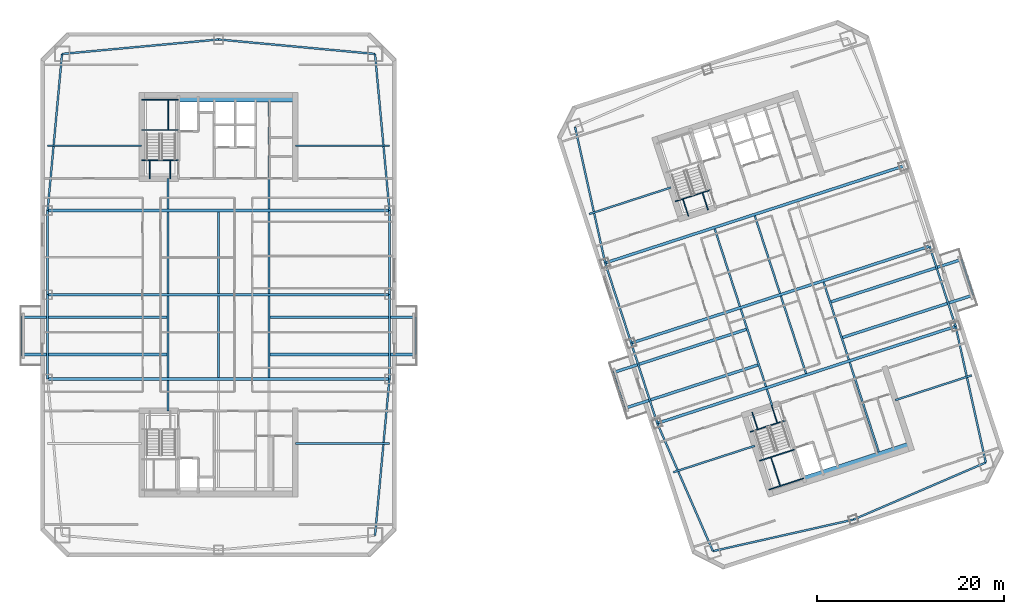
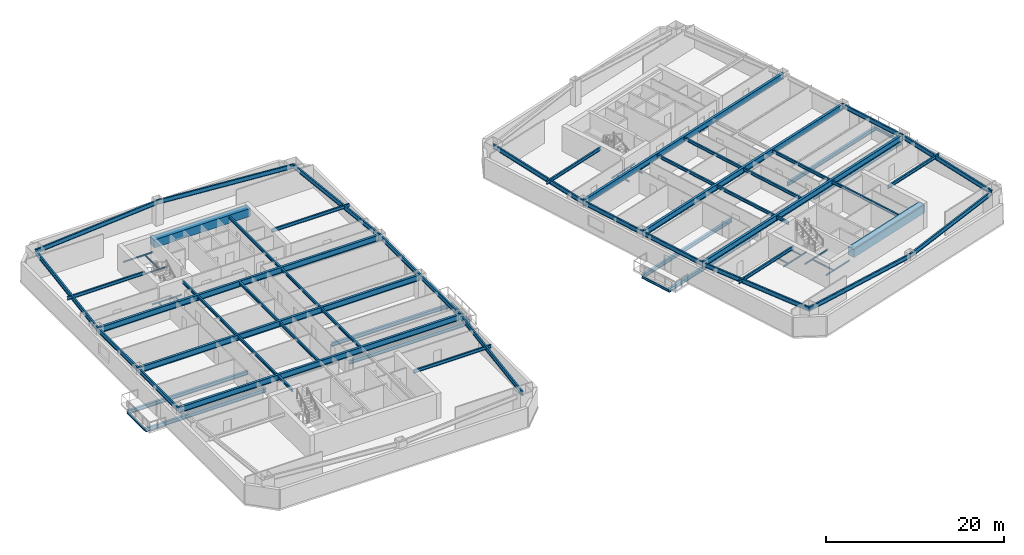
# One storey, part 2 of 14: 74 beams.
"""IFC4 building model written with IfcOpenShell, lengths in metres."""

from ifc_helpers import new_model, si_unit, direction, frame, origin, origin_2d, place, context, subcontext, project, spatial, rectangle, i_section, extrude, material, material_profile, profile_set, type_object, element, save


model = new_model("IFC4")

# Units and contexts
model_context = context("Model", 3, precision=1e-05, world=origin(), true_north=direction((0.0, 1.0)))
body_context = subcontext(model_context, "Body", "Model", "MODEL_VIEW")
ifc_project = project(units=[si_unit("LENGTHUNIT", "METRE"), si_unit("AREAUNIT", "SQUARE_METRE"), si_unit("VOLUMEUNIT", "CUBIC_METRE"), si_unit("PLANEANGLEUNIT", "RADIAN"), si_unit("MASSUNIT", "GRAM", prefix="KILO")], contexts=[model_context])

# Site, building, storey
site_placement = place(None, origin())
site = spatial("IfcSite", under=ifc_project, at=site_placement, CompositionType="ELEMENT")
building_placement = place(site_placement, origin())
building = spatial("IfcBuilding", under=site, at=building_placement, Name="Qiaolan Cultural Towers", CompositionType="ELEMENT")
storey_placement = place(building_placement, frame((0.0, 0.0, 124.199951171875)))
storey = spatial("IfcBuildingStorey", under=building, at=storey_placement, Name="L32", CompositionType="ELEMENT", Elevation=124.199951171875)

# Beams
ifc_material_1 = material(Name="Steel Q355B", Category="steel")
ifc_material_profile_1 = material_profile(ifc_material_1, i_section(OverallWidth=0.300048828125, OverallDepth=0.488037109375, WebThickness=0.010986328125, FlangeThickness=0.01806640625, at=origin_2d()), Name="HM488x300x11x18")
ifc_profile_set_1 = profile_set([ifc_material_profile_1], Name="Steel Q355B")
beam_type_1 = type_object("IfcBeamType", Name="BM-HM488x300x11x18", PredefinedType="BEAM", material=ifc_profile_set_1)
for number, where, z_axis, x_axis, name in (
    (1, (24.60009765625, 27.60009765625, -0.52392578125), (-1.0, 0.0, 0.0), (0.0, -1.0, 0.0), "L32 T1 Tree Balcony Back-Spanned Bracket Beam"),
    (2, (24.60009765625, 31.60009765625, -0.52392578125), (-1.0, 0.0, 0.0), (0.0, -1.0, 0.0), "L32 T1 Tree Balcony Back-Spanned Bracket Beam"),
    (3, (35.39990234375, 27.60009765625, -0.52392578125), (1.0, 0.0, 0.0), (0.0, 1.0, 0.0), "L32 T1 Tree Balcony Back-Spanned Bracket Beam"),
    (4, (35.39990234375, 31.60009765625, -0.52392578125), (1.0, 0.0, 0.0), (0.0, 1.0, 0.0), "L32 T1 Tree Balcony Back-Spanned Bracket Beam"),
):
    element("IfcBeam", number, at=place(storey_placement, frame(where, z_axis=z_axis, x_axis=x_axis)), inside=storey, type_object=beam_type_1, Name=name, PredefinedType="BEAM", context=body_context, shape_type="SweptSolid", body=[
        extrude(i_section(OverallWidth=0.300048828125, OverallDepth=0.488037109375, WebThickness=0.010986328125, FlangeThickness=0.01806640625, at=origin_2d()), origin(), (0.0, 0.0, 1.0), 15.650146484375),
    ])
for number, where, z_axis, x_axis, name in (
    (5, (87.697998046875, 26.522705078125, -0.52392578125), (-0.951058384903, -0.309011243331, 0.0), (0.309011243331, -0.951058384903, 0.0), "L32 T2 Tree Balcony Back-Spanned Bracket Beam"),
    (6, (86.4619140625, 30.326904296875, -0.52392578125), (-0.951058384903, -0.309011243331, 0.0), (0.309011243331, -0.951058384903, 0.0), "L32 T2 Tree Balcony Back-Spanned Bracket Beam"),
):
    element("IfcBeam", number, at=place(storey_placement, frame(where, z_axis=z_axis, x_axis=x_axis)), inside=storey, type_object=beam_type_1, Name=name, PredefinedType="BEAM", context=body_context, shape_type="SweptSolid", body=[
        extrude(i_section(OverallWidth=0.300048828125, OverallDepth=0.488037109375, WebThickness=0.010986328125, FlangeThickness=0.01806640625, at=origin_2d()), origin(), (0.0, 0.0, 1.0), 15.050048828125),
    ])
for number, where, z_axis, x_axis, name in (
    (7, (96.542724609375, 29.396484375, -0.52392578125), (0.951054379921, 0.309023569382, 0.0), (-0.309023569382, 0.951054379921, 0.0), "L32 T2 Tree Balcony Back-Spanned Bracket Beam"),
    (8, (95.306640625, 33.20068359375, -0.52392578125), (0.951054379921, 0.309023569382, 0.0), (-0.309023569382, 0.951054379921, 0.0), "L32 T2 Tree Balcony Back-Spanned Bracket Beam"),
):
    element("IfcBeam", number, at=place(storey_placement, frame(where, z_axis=z_axis, x_axis=x_axis)), inside=storey, type_object=beam_type_1, Name=name, PredefinedType="BEAM", context=body_context, shape_type="SweptSolid", body=[
        extrude(i_section(OverallWidth=0.300048828125, OverallDepth=0.488037109375, WebThickness=0.010986328125, FlangeThickness=0.01806640625, at=origin_2d()), origin(), (0.0, 0.0, 1.0), 14.75),
    ])
ifc_material_2 = material(Name="Steel Q355B", Category="steel")
ifc_material_profile_2 = material_profile(ifc_material_2, i_section(OverallWidth=0.300048828125, OverallDepth=0.800048828125, WebThickness=0.013916015625, FlangeThickness=0.02587890625, at=origin_2d()), Name="HN800x300x14x26")
ifc_profile_set_2 = profile_set([ifc_material_profile_2], Name="Steel Q355B")
beam_type_2 = type_object("IfcBeamType", Name="BM-HN800x300x14x26", PredefinedType="BEAM", material=ifc_profile_set_2)
for number, where, z_axis, x_axis, name in (
    (9, (11.75, 25.0, 2.7900390625), (1.0, 0.0, 0.0), (0.0, 1.0, 0.0), "L32 T1 Primary Transverse Girder V1"),
    (10, (11.75, 34.0, 2.7900390625), (1.0, 0.0, 0.0), (0.0, 1.0, 0.0), "L32 T1 Primary Transverse Girder V2"),
    (11, (11.75, 43.0, 2.7900390625), (1.0, 0.0, 0.0), (0.0, 1.0, 0.0), "L32 T1 Primary Transverse Girder V3"),
):
    element("IfcBeam", number, at=place(storey_placement, frame(where, z_axis=z_axis, x_axis=x_axis)), inside=storey, type_object=beam_type_2, Name=name, PredefinedType="BEAM", context=body_context, shape_type="SweptSolid", body=[
        extrude(i_section(OverallWidth=0.300048828125, OverallDepth=0.800048828125, WebThickness=0.013916015625, FlangeThickness=0.02587890625, at=origin_2d()), origin(), (0.0, 0.0, 1.0), 36.5),
    ])
for number, where, z_axis, x_axis, name in (
    (12, (76.85107421875, 20.264404296875, 2.7900390625), (0.951056559899, 0.309016860175, 0.0), (-0.309016860175, 0.951056559899, 0.0), "L32 T2 Primary Transverse Girder V1"),
    (13, (74.06982421875, 28.823974609375, 2.7900390625), (0.951056559899, 0.309016860175, 0.0), (-0.309016860175, 0.951056559899, 0.0), "L32 T2 Primary Transverse Girder V2"),
    (14, (71.28857421875, 37.383544921875, 2.7900390625), (0.951056559899, 0.309016860175, 0.0), (-0.309016860175, 0.951056559899, 0.0), "L32 T2 Primary Transverse Girder V3"),
):
    element("IfcBeam", number, at=place(storey_placement, frame(where, z_axis=z_axis, x_axis=x_axis)), inside=storey, type_object=beam_type_2, Name=name, PredefinedType="BEAM", context=body_context, shape_type="SweptSolid", body=[
        extrude(i_section(OverallWidth=0.300048828125, OverallDepth=0.800048828125, WebThickness=0.013916015625, FlangeThickness=0.02587890625, at=origin_2d()), origin(), (0.0, 0.0, 1.0), 33.5),
    ])
ifc_material_3 = material(Name="Steel Q355B", Category="steel")
ifc_material_profile_3 = material_profile(ifc_material_3, i_section(OverallWidth=0.175048828125, OverallDepth=0.35009765625, WebThickness=0.007080078125, FlangeThickness=0.010986328125, at=origin_2d()), Name="HN350x175x7x11")
ifc_profile_set_3 = profile_set([ifc_material_profile_3], Name="Steel Q355B")
beam_type_3 = type_object("IfcBeamType", Name="BM-JST-HN350x175x7x11", PredefinedType="JOIST", material=ifc_profile_set_3)
for number, where, z_axis, x_axis, name in (
    (15, (8.949951171875, 27.60009765625, -0.52392578125), (0.0, 1.0, 0.0), (-1.0, 0.0, 0.0), "L32 T1 Tree Balcony Outer Edge Beam"),
    (16, (51.050048828125, 27.60009765625, -0.52392578125), (0.0, 1.0, 0.0), (-1.0, 0.0, 0.0), "L32 T1 Tree Balcony Outer Edge Beam"),
    (17, (73.384521484375, 21.8720703125, -0.52392578125), (-0.309022586479, 0.951054699292, 0.0), (-0.951054699292, -0.309022586479, 0.0), "L32 T2 Tree Balcony Outer Edge Beam"),
    (18, (110.57080078125, 33.95458984375, -0.52392578125), (-0.309022586479, 0.951054699292, 0.0), (-0.951054699292, -0.309022586479, 0.0), "L32 T2 Tree Balcony Outer Edge Beam"),
):
    element("IfcBeam", number, at=place(storey_placement, frame(where, z_axis=z_axis, x_axis=x_axis)), inside=storey, type_object=beam_type_3, Name=name, PredefinedType="JOIST", context=body_context, shape_type="SweptSolid", body=[
        extrude(i_section(OverallWidth=0.175048828125, OverallDepth=0.35009765625, WebThickness=0.007080078125, FlangeThickness=0.010986328125, at=origin_2d()), origin(), (0.0, 0.0, 1.0), 4.0),
    ])
ifc_material_4 = material(Name="Steel Q355B", Category="steel")
ifc_material_profile_4 = material_profile(ifc_material_4, i_section(OverallWidth=0.199951171875, OverallDepth=0.39990234375, WebThickness=0.008056640625, FlangeThickness=0.012939453125, at=origin_2d()), Name="HN400x200x8x13")
ifc_profile_set_4 = profile_set([ifc_material_profile_4], Name="Steel Q355B")
beam_type_4 = type_object("IfcBeamType", Name="BM-JST-HN400x200x8x13", PredefinedType="JOIST", material=ifc_profile_set_4)
beam_1_placement = place(storey_placement, frame((24.60009765625, 21.60009765625, 2.989990234375), z_axis=(0.0, 1.0, 0.0), x_axis=(-1.0, 0.0, 0.0)))
element("IfcBeam", 19, at=beam_1_placement, inside=storey, type_object=beam_type_4, Name="L32 T1 Secondary Floor Joist U1-1", PredefinedType="JOIST", context=body_context, shape_type="SweptSolid", body=[
    extrude(i_section(OverallWidth=0.199951171875, OverallDepth=0.39990234375, WebThickness=0.008056640625, FlangeThickness=0.012939453125, at=origin_2d()), origin(), (0.0, 0.0, 1.0), 3.25),
])
for number, where, z_axis, x_axis, name in (
    (20, (24.60009765625, 25.14990234375, 2.989990234375), (0.0, 1.0, 0.0), (-1.0, 0.0, 0.0), "L32 T1 Secondary Floor Joist U1-2"),
    (21, (24.60009765625, 34.14990234375, 2.989990234375), (0.0, 1.0, 0.0), (-1.0, 0.0, 0.0), "L32 T1 Secondary Floor Joist U1-3"),
):
    element("IfcBeam", number, at=place(storey_placement, frame(where, z_axis=z_axis, x_axis=x_axis)), inside=storey, type_object=beam_type_4, Name=name, PredefinedType="JOIST", context=body_context, shape_type="SweptSolid", body=[
        extrude(i_section(OverallWidth=0.199951171875, OverallDepth=0.39990234375, WebThickness=0.008056640625, FlangeThickness=0.012939453125, at=origin_2d()), origin(), (0.0, 0.0, 1.0), 8.7001953125),
    ])
beam_2_placement = place(storey_placement, frame((24.60009765625, 43.14990234375, 2.989990234375), z_axis=(0.0, 1.0, 0.0), x_axis=(-1.0, 0.0, 0.0)))
element("IfcBeam", 22, at=beam_2_placement, inside=storey, type_object=beam_type_4, Name="L32 T1 Secondary Floor Joist U1-4", PredefinedType="JOIST", context=body_context, shape_type="SweptSolid", body=[
    extrude(i_section(OverallWidth=0.199951171875, OverallDepth=0.39990234375, WebThickness=0.008056640625, FlangeThickness=0.012939453125, at=origin_2d()), origin(), (0.0, 0.0, 1.0), 3.25),
])
for number, where, z_axis, x_axis, name in (
    (23, (30.0, 25.14990234375, 2.989990234375), (0.0, 1.0, 0.0), (-1.0, 0.0, 0.0), "L32 T1 Secondary Floor Joist U2-2"),
    (24, (30.0, 34.14990234375, 2.989990234375), (0.0, 1.0, 0.0), (-1.0, 0.0, 0.0), "L32 T1 Secondary Floor Joist U2-3"),
    (25, (35.39990234375, 25.14990234375, 2.989990234375), (0.0, 1.0, 0.0), (-1.0, 0.0, 0.0), "L32 T1 Secondary Floor Joist U3-2"),
    (26, (35.39990234375, 34.14990234375, 2.989990234375), (0.0, 1.0, 0.0), (-1.0, 0.0, 0.0), "L32 T1 Secondary Floor Joist U3-3"),
):
    element("IfcBeam", number, at=place(storey_placement, frame(where, z_axis=z_axis, x_axis=x_axis)), inside=storey, type_object=beam_type_4, Name=name, PredefinedType="JOIST", context=body_context, shape_type="SweptSolid", body=[
        extrude(i_section(OverallWidth=0.199951171875, OverallDepth=0.39990234375, WebThickness=0.008056640625, FlangeThickness=0.012939453125, at=origin_2d()), origin(), (0.0, 0.0, 1.0), 8.7001953125),
    ])
beam_3_placement = place(storey_placement, frame((35.39990234375, 43.14990234375, 2.989990234375), z_axis=(0.0, 1.0, 0.0), x_axis=(-1.0, 0.0, 0.0)))
element("IfcBeam", 27, at=beam_3_placement, inside=storey, type_object=beam_type_4, Name="L32 T1 Secondary Floor Joist U3-4", PredefinedType="JOIST", context=body_context, shape_type="SweptSolid", body=[
    extrude(i_section(OverallWidth=0.199951171875, OverallDepth=0.39990234375, WebThickness=0.008056640625, FlangeThickness=0.012939453125, at=origin_2d()), origin(), (0.0, 0.0, 1.0), 11.4501953125),
])
beam_4_placement = place(storey_placement, frame((89.119384765625, 22.147705078125, 2.989990234375), z_axis=(-0.308933885266, 0.951083516067, 0.0), x_axis=(-0.951083516067, -0.308933885266, 0.0)))
element("IfcBeam", 28, at=beam_4_placement, inside=storey, type_object=beam_type_4, Name="L32 T2 Secondary Floor Joist U1-1", PredefinedType="JOIST", context=body_context, shape_type="SweptSolid", body=[
    extrude(i_section(OverallWidth=0.199951171875, OverallDepth=0.39990234375, WebThickness=0.008056640625, FlangeThickness=0.012939453125, at=origin_2d()), origin(), (0.0, 0.0, 1.0), 1.85009765625),
])
for number, where, z_axis, x_axis, name in (
    (29, (88.455078125, 24.192626953125, 2.989990234375), (-0.309020714809, 0.951055307445, 0.0), (-0.951055307445, -0.309020714809, 0.0), "L32 T2 Secondary Floor Joist U1-2"),
    (30, (85.673828125, 32.752197265625, 2.989990234375), (-0.309020714809, 0.951055307445, 0.0), (-0.951055307445, -0.309020714809, 0.0), "L32 T2 Secondary Floor Joist U1-3"),
    (31, (92.73486328125, 25.583251953125, 2.989990234375), (-0.309020714809, 0.951055307445, 0.0), (-0.951055307445, -0.309020714809, 0.0), "L32 T2 Secondary Floor Joist U2-2"),
    (32, (89.95361328125, 34.142578125, 2.989990234375), (-0.309020714809, 0.951055307445, 0.0), (-0.951055307445, -0.309020714809, 0.0), "L32 T2 Secondary Floor Joist U2-3"),
):
    element("IfcBeam", number, at=place(storey_placement, frame(where, z_axis=z_axis, x_axis=x_axis)), inside=storey, type_object=beam_type_4, Name=name, PredefinedType="JOIST", context=body_context, shape_type="SweptSolid", body=[
        extrude(i_section(OverallWidth=0.199951171875, OverallDepth=0.39990234375, WebThickness=0.008056640625, FlangeThickness=0.012939453125, at=origin_2d()), origin(), (0.0, 0.0, 1.0), 8.699951171875),
    ])
beam_5_placement = place(storey_placement, frame((100.498291015625, 17.222900390625, 2.989990234375), z_axis=(-0.309025649293, 0.951053704098, 0.0), x_axis=(-0.951053704098, -0.309025649293, 0.0)))
element("IfcBeam", 33, at=beam_5_placement, inside=storey, type_object=beam_type_4, Name="L32 T2 Secondary Floor Joist U3-1", PredefinedType="JOIST", context=body_context, shape_type="SweptSolid", body=[
    extrude(i_section(OverallWidth=0.199951171875, OverallDepth=0.39990234375, WebThickness=0.008056640625, FlangeThickness=0.012939453125, at=origin_2d()), origin(), (0.0, 0.0, 1.0), 10.050048828125),
])
beam_6_placement = place(storey_placement, frame((97.2998046875, 27.06640625, 2.989990234375), z_axis=(-0.309020714809, 0.951055307445, 0.0), x_axis=(-0.951055307445, -0.309020714809, 0.0)))
element("IfcBeam", 34, at=beam_6_placement, inside=storey, type_object=beam_type_4, Name="L32 T2 Secondary Floor Joist U3-2", PredefinedType="JOIST", context=body_context, shape_type="SweptSolid", body=[
    extrude(i_section(OverallWidth=0.199951171875, OverallDepth=0.39990234375, WebThickness=0.008056640625, FlangeThickness=0.012939453125, at=origin_2d()), origin(), (0.0, 0.0, 1.0), 8.699951171875),
])
ifc_material_5 = material(Name="Steel Q355B", Category="steel")
ifc_material_profile_5 = material_profile(ifc_material_5, i_section(OverallWidth=0.199951171875, OverallDepth=0.449951171875, WebThickness=0.009033203125, FlangeThickness=0.013916015625, at=origin_2d()), Name="HN450x200x9x14")
ifc_profile_set_5 = profile_set([ifc_material_profile_5], Name="Steel Q355B")
beam_type_5 = type_object("IfcBeamType", Name="BM-LNT-HN450x200x9x14", PredefinedType="LINTEL", material=ifc_profile_set_5)
for number, where, z_axis, x_axis, name in (
    (35, (21.800048828125, 49.89990234375, 2.965087890625), (-1.0, 0.0, 0.0), (0.0, -1.0, 0.0), "L32 T1 Core Flank Tie Lintel WN"),
    (36, (38.199951171875, 18.10009765625, 2.965087890625), (1.0, 0.0, 0.0), (0.0, 1.0, 0.0), "L32 T1 Core Flank Tie Lintel ES"),
    (37, (38.199951171875, 49.89990234375, 2.965087890625), (1.0, 0.0, 0.0), (0.0, 1.0, 0.0), "L32 T1 Core Flank Tie Lintel EN"),
):
    element("IfcBeam", number, at=place(storey_placement, frame(where, z_axis=z_axis, x_axis=x_axis)), inside=storey, type_object=beam_type_5, Name=name, PredefinedType="LINTEL", context=body_context, shape_type="SweptSolid", body=[
        extrude(i_section(OverallWidth=0.199951171875, OverallDepth=0.449951171875, WebThickness=0.009033203125, FlangeThickness=0.013916015625, at=origin_2d()), origin(), (0.0, 0.0, 1.0), 10.050048828125),
    ])
for number, where, z_axis, x_axis, name in (
    (38, (87.252685546875, 17.861083984375, 2.965087890625), (-0.951059948176, -0.309006431933, 0.0), (0.309006431933, -0.951059948176, 0.0), "L32 T2 Core Flank Tie Lintel WS"),
    (39, (78.291259765625, 45.44189453125, 2.965087890625), (-0.951052106475, -0.309030566076, 0.0), (0.309030566076, -0.951052106475, 0.0), "L32 T2 Core Flank Tie Lintel WN"),
):
    element("IfcBeam", number, at=place(storey_placement, frame(where, z_axis=z_axis, x_axis=x_axis)), inside=storey, type_object=beam_type_5, Name=name, PredefinedType="LINTEL", context=body_context, shape_type="SweptSolid", body=[
        extrude(i_section(OverallWidth=0.199951171875, OverallDepth=0.449951171875, WebThickness=0.009033203125, FlangeThickness=0.013916015625, at=origin_2d()), origin(), (0.0, 0.0, 1.0), 9.14990234375),
    ])
beam_7_placement = place(storey_placement, frame((102.279296875, 22.74365234375, 2.965087890625), z_axis=(0.951057358187, 0.309014403287, 0.0), x_axis=(-0.309014403287, 0.951057358187, 0.0)))
element("IfcBeam", 40, at=beam_7_placement, inside=storey, type_object=beam_type_5, Name="L32 T2 Core Flank Tie Lintel ES", PredefinedType="LINTEL", context=body_context, shape_type="SweptSolid", body=[
    extrude(i_section(OverallWidth=0.199951171875, OverallDepth=0.449951171875, WebThickness=0.009033203125, FlangeThickness=0.013916015625, at=origin_2d()), origin(), (0.0, 0.0, 1.0), 8.550048828125),
])
ifc_material_6 = material(Name="Concrete C50", Category="concrete")
ifc_material_profile_6 = material_profile(ifc_material_6, rectangle(XDim=0.89990234375, YDim=1.10009765625, at=origin_2d()), Name="RC900x1100")
ifc_profile_set_6 = profile_set([ifc_material_profile_6], Name="Concrete C50")
beam_type_6 = type_object("IfcBeamType", Name="BM-RC900x1100", PredefinedType="BEAM", material=ifc_profile_set_6)
beam_8_placement = place(storey_placement, frame((25.719970703125, 55.050048828125, 2.64013671875), z_axis=(1.0, 0.0, 0.0), x_axis=(0.0, 1.0, 0.0)))
element("IfcBeam", 41, at=beam_8_placement, inside=storey, type_object=beam_type_6, Name="L32 T1 Core Header Girder N", PredefinedType="BEAM", context=body_context, shape_type="SweptSolid", body=[
    extrude(rectangle(XDim=0.89990234375, YDim=1.10009765625, at=origin_2d()), origin(), (0.0, 0.0, 1.0), 12.47998046875),
])
beam_9_placement = place(storey_placement, frame((92.572265625, 14.174560546875, 2.64013671875), z_axis=(0.951056266386, 0.309017763514, 0.0), x_axis=(-0.309017763514, 0.951056266386, 0.0)))
element("IfcBeam", 42, at=beam_9_placement, inside=storey, type_object=beam_type_6, Name="L32 T2 Core Header Girder S", PredefinedType="BEAM", context=body_context, shape_type="SweptSolid", body=[
    extrude(rectangle(XDim=0.89990234375, YDim=1.10009765625, at=origin_2d()), origin(), (0.0, 0.0, 1.0), 11.880126953125),
])
ifc_material_7 = material(Name="Steel Q355B", Category="steel")
ifc_material_profile_7 = material_profile(ifc_material_7, i_section(OverallWidth=0.199951171875, OverallDepth=0.60009765625, WebThickness=0.010986328125, FlangeThickness=0.01708984375, at=origin_2d()), Name="HN600x200x11x17")
ifc_profile_set_7 = profile_set([ifc_material_profile_7], Name="Steel Q355B")
beam_type_7 = type_object("IfcBeamType", Name="BM-SPD-HN600x200x11x17", PredefinedType="SPANDREL", material=ifc_profile_set_7)
beam_10_placement = place(storey_placement, frame((46.7099609375, 8.2900390625, 2.89013671875), z_axis=(0.09177399582, 0.995779862064, 0.0), x_axis=(-0.995779862064, 0.09177399582, 0.0)))
element("IfcBeam", 43, at=beam_10_placement, inside=storey, type_object=beam_type_7, Name="L32 T1 Perimeter Spandrel Beam 3", PredefinedType="SPANDREL", context=body_context, shape_type="SweptSolid", body=[
    extrude(i_section(OverallWidth=0.199951171875, OverallDepth=0.60009765625, WebThickness=0.010986328125, FlangeThickness=0.01708984375, at=origin_2d()), origin(), (0.0, 0.0, 1.0), 16.78076171875),
])
for number, where, z_axis, x_axis, name in (
    (44, (48.25, 25.0, 2.89013671875), (0.0, 1.0, 0.0), (-1.0, 0.0, 0.0), "L32 T1 Perimeter Spandrel Beam 4"),
    (45, (48.25, 34.0, 2.89013671875), (0.0, 1.0, 0.0), (-1.0, 0.0, 0.0), "L32 T1 Perimeter Spandrel Beam 5"),
):
    element("IfcBeam", number, at=place(storey_placement, frame(where, z_axis=z_axis, x_axis=x_axis)), inside=storey, type_object=beam_type_7, Name=name, PredefinedType="SPANDREL", context=body_context, shape_type="SweptSolid", body=[
        extrude(i_section(OverallWidth=0.199951171875, OverallDepth=0.60009765625, WebThickness=0.010986328125, FlangeThickness=0.01708984375, at=origin_2d()), origin(), (0.0, 0.0, 1.0), 9.0),
    ])
for number, where, z_axis, x_axis, name in (
    (46, (48.25, 43.0, 2.89013671875), (-0.09177399582, 0.995779862064, 0.0), (-0.995779862064, -0.09177399582, 0.0), "L32 T1 Perimeter Spandrel Beam 6"),
    (47, (46.7099609375, 59.7099609375, 2.89013671875), (-0.995779862064, 0.09177399582, 0.0), (-0.09177399582, -0.995779862064, 0.0), "L32 T1 Perimeter Spandrel Beam 7"),
    (48, (30.0, 61.25, 2.89013671875), (-0.995779862064, -0.09177399582, 0.0), (0.09177399582, -0.995779862064, 0.0), "L32 T1 Perimeter Spandrel Beam 8"),
    (49, (13.2900390625, 59.7099609375, 2.89013671875), (-0.09177399582, -0.995779862064, 0.0), (0.995779862064, -0.09177399582, 0.0), "L32 T1 Perimeter Spandrel Beam 9"),
):
    element("IfcBeam", number, at=place(storey_placement, frame(where, z_axis=z_axis, x_axis=x_axis)), inside=storey, type_object=beam_type_7, Name=name, PredefinedType="SPANDREL", context=body_context, shape_type="SweptSolid", body=[
        extrude(i_section(OverallWidth=0.199951171875, OverallDepth=0.60009765625, WebThickness=0.010986328125, FlangeThickness=0.01708984375, at=origin_2d()), origin(), (0.0, 0.0, 1.0), 16.78076171875),
    ])
for number, where, z_axis, x_axis, name in (
    (50, (11.75, 43.0, 2.89013671875), (0.0, -1.0, 0.0), (1.0, 0.0, 0.0), "L32 T1 Perimeter Spandrel Beam 10"),
    (51, (11.75, 34.0, 2.89013671875), (0.0, -1.0, 0.0), (1.0, 0.0, 0.0), "L32 T1 Perimeter Spandrel Beam 11"),
):
    element("IfcBeam", number, at=place(storey_placement, frame(where, z_axis=z_axis, x_axis=x_axis)), inside=storey, type_object=beam_type_7, Name=name, PredefinedType="SPANDREL", context=body_context, shape_type="SweptSolid", body=[
        extrude(i_section(OverallWidth=0.199951171875, OverallDepth=0.60009765625, WebThickness=0.010986328125, FlangeThickness=0.01708984375, at=origin_2d()), origin(), (0.0, 0.0, 1.0), 9.0),
    ])
beam_11_placement = place(storey_placement, frame((82.79052734375, 6.611572265625, 2.89013671875), z_axis=(0.975658154374, 0.219296980836, 0.0), x_axis=(-0.219296980836, 0.975658154374, 0.0)))
element("IfcBeam", 52, at=beam_11_placement, inside=storey, type_object=beam_type_7, Name="L32 T2 Perimeter Spandrel Beam 1", PredefinedType="SPANDREL", context=body_context, shape_type="SweptSolid", body=[
    extrude(i_section(OverallWidth=0.199951171875, OverallDepth=0.60009765625, WebThickness=0.010986328125, FlangeThickness=0.01708984375, at=origin_2d()), origin(), (0.0, 0.0, 1.0), 15.38671875),
])
beam_12_placement = place(storey_placement, frame((97.802734375, 9.98583984375, 2.89013671875), z_axis=(0.918217549337, 0.396076422032, 0.0), x_axis=(-0.396076422032, 0.918217549337, 0.0)))
element("IfcBeam", 53, at=beam_12_placement, inside=storey, type_object=beam_type_7, Name="L32 T2 Perimeter Spandrel Beam 2", PredefinedType="SPANDREL", context=body_context, shape_type="SweptSolid", body=[
    extrude(i_section(OverallWidth=0.199951171875, OverallDepth=0.60009765625, WebThickness=0.010986328125, FlangeThickness=0.01708984375, at=origin_2d()), origin(), (0.0, 0.0, 1.0), 15.386474609375),
])
beam_13_placement = place(storey_placement, frame((111.930908203125, 16.080078125, 2.89013671875), z_axis=(-0.216237644833, 0.976340760676, 0.0), x_axis=(-0.976340760676, -0.216237644833, 0.0)))
element("IfcBeam", 54, at=beam_13_placement, inside=storey, type_object=beam_type_7, Name="L32 T2 Perimeter Spandrel Beam 3", PredefinedType="SPANDREL", context=body_context, shape_type="SweptSolid", body=[
    extrude(i_section(OverallWidth=0.199951171875, OverallDepth=0.60009765625, WebThickness=0.010986328125, FlangeThickness=0.01708984375, at=origin_2d()), origin(), (0.0, 0.0, 1.0), 14.888671875),
])
beam_14_placement = place(storey_placement, frame((108.71142578125, 30.616455078125, 2.89013671875), z_axis=(-0.309024734286, 0.951054001411, 0.0), x_axis=(-0.951054001411, -0.309024734286, 0.0)))
element("IfcBeam", 55, at=beam_14_placement, inside=storey, type_object=beam_type_7, Name="L32 T2 Perimeter Spandrel Beam 4", PredefinedType="SPANDREL", context=body_context, shape_type="SweptSolid", body=[
    extrude(i_section(OverallWidth=0.199951171875, OverallDepth=0.60009765625, WebThickness=0.010986328125, FlangeThickness=0.01708984375, at=origin_2d()), origin(), (0.0, 0.0, 1.0), 9.0),
])
beam_15_placement = place(storey_placement, frame((68.069091796875, 51.919921875, 2.89013671875), z_axis=(0.216237644833, -0.976340760676, 0.0), x_axis=(0.976340760676, 0.216237644833, 0.0)))
element("IfcBeam", 56, at=beam_15_placement, inside=storey, type_object=beam_type_7, Name="L32 T2 Perimeter Spandrel Beam 9", PredefinedType="SPANDREL", context=body_context, shape_type="SweptSolid", body=[
    extrude(i_section(OverallWidth=0.199951171875, OverallDepth=0.60009765625, WebThickness=0.010986328125, FlangeThickness=0.01708984375, at=origin_2d()), origin(), (0.0, 0.0, 1.0), 14.888671875),
])
for number, where, z_axis, x_axis, name in (
    (57, (71.28857421875, 37.383544921875, 2.89013671875), (0.309024734286, -0.951054001411, 0.0), (0.951054001411, 0.309024734286, 0.0), "L32 T2 Perimeter Spandrel Beam 10"),
    (58, (74.06982421875, 28.823974609375, 2.89013671875), (0.309024734286, -0.951054001411, 0.0), (0.951054001411, 0.309024734286, 0.0), "L32 T2 Perimeter Spandrel Beam 11"),
):
    element("IfcBeam", number, at=place(storey_placement, frame(where, z_axis=z_axis, x_axis=x_axis)), inside=storey, type_object=beam_type_7, Name=name, PredefinedType="SPANDREL", context=body_context, shape_type="SweptSolid", body=[
        extrude(i_section(OverallWidth=0.199951171875, OverallDepth=0.60009765625, WebThickness=0.010986328125, FlangeThickness=0.01708984375, at=origin_2d()), origin(), (0.0, 0.0, 1.0), 9.0),
    ])
beam_16_placement = place(storey_placement, frame((76.85107421875, 20.264404296875, 2.89013671875), z_axis=(0.398920370799, -0.916985571185, 0.0), x_axis=(0.916985571185, 0.398920370799, 0.0)))
element("IfcBeam", 59, at=beam_16_placement, inside=storey, type_object=beam_type_7, Name="L32 T2 Perimeter Spandrel Beam 12", PredefinedType="SPANDREL", context=body_context, shape_type="SweptSolid", body=[
    extrude(i_section(OverallWidth=0.199951171875, OverallDepth=0.60009765625, WebThickness=0.010986328125, FlangeThickness=0.01708984375, at=origin_2d()), origin(), (0.0, 0.0, 1.0), 14.888916015625),
])
ifc_material_8 = material(Name="Steel Q355B", Category="steel")
ifc_material_profile_8 = material_profile(ifc_material_8, i_section(OverallWidth=0.10009765625, OverallDepth=0.199951171875, WebThickness=0.005615234375, FlangeThickness=0.008056640625, at=origin_2d()), Name="HN200x100x5.5x8")
ifc_profile_set_8 = profile_set([ifc_material_profile_8], Name="Steel Q355B")
beam_type_8 = type_object("IfcBeamType", Name="BM-STTRIM-200", PredefinedType="BEAM", material=ifc_profile_set_8)
beam_17_placement = place(storey_placement, frame((21.800048828125, 48.340087890625, -0.4599609375), z_axis=(1.0, 0.0, 0.0), x_axis=(0.0, 1.0, 0.0)))
element("IfcBeam", 60, at=beam_17_placement, inside=storey, type_object=beam_type_8, Name="L32 ST-W2 Floor Landing Header Beam", PredefinedType="BEAM", context=body_context, shape_type="SweptSolid", body=[
    extrude(i_section(OverallWidth=0.10009765625, OverallDepth=0.199951171875, WebThickness=0.005615234375, FlangeThickness=0.008056640625, at=origin_2d()), origin(), (0.0, 0.0, 1.0), 3.919921875),
])
for number, where, z_axis, x_axis, name in (
    (61, (22.64990234375, 46.39990234375, -0.4599609375), (0.0, 1.0, 0.0), (-1.0, 0.0, 0.0), "L32 ST-W2 Floor Landing Stringer 1"),
    (62, (24.85009765625, 46.39990234375, -0.4599609375), (0.0, 1.0, 0.0), (-1.0, 0.0, 0.0), "L32 ST-W2 Floor Landing Stringer 2"),
):
    element("IfcBeam", number, at=place(storey_placement, frame(where, z_axis=z_axis, x_axis=x_axis)), inside=storey, type_object=beam_type_8, Name=name, PredefinedType="BEAM", context=body_context, shape_type="SweptSolid", body=[
        extrude(i_section(OverallWidth=0.10009765625, OverallDepth=0.199951171875, WebThickness=0.005615234375, FlangeThickness=0.008056640625, at=origin_2d()), origin(), (0.0, 0.0, 1.0), 1.940185546875),
    ])
for number, where, z_axis, x_axis, name in (
    (63, (21.800048828125, 51.588623046875, 1.425048828125), (1.0, 0.0, 0.0), (0.0, 1.0, 0.0), "L32 ST-W2 Stair Landing Support Beam 1-1"),
    (64, (21.800048828125, 54.820068359375, 1.425048828125), (1.0, 0.0, 0.0), (0.0, 1.0, 0.0), "L32 ST-W2 Stair Landing Support Beam 1-2"),
):
    element("IfcBeam", number, at=place(storey_placement, frame(where, z_axis=z_axis, x_axis=x_axis)), inside=storey, type_object=beam_type_8, Name=name, PredefinedType="BEAM", context=body_context, shape_type="SweptSolid", body=[
        extrude(i_section(OverallWidth=0.10009765625, OverallDepth=0.199951171875, WebThickness=0.005615234375, FlangeThickness=0.008056640625, at=origin_2d()), origin(), (0.0, 0.0, 1.0), 3.919921875),
    ])
beam_18_placement = place(storey_placement, frame((24.610107421875, 51.588623046875, 1.425048828125), z_axis=(0.0, 1.0, 0.0), x_axis=(-1.0, 0.0, 0.0)))
element("IfcBeam", 65, at=beam_18_placement, inside=storey, type_object=beam_type_8, Name="L32 ST-W2 Stair Landing Trimmer 1", PredefinedType="BEAM", context=body_context, shape_type="SweptSolid", body=[
    extrude(i_section(OverallWidth=0.10009765625, OverallDepth=0.199951171875, WebThickness=0.005615234375, FlangeThickness=0.008056640625, at=origin_2d()), origin(), (0.0, 0.0, 1.0), 3.2314453125),
])
beam_19_placement = place(storey_placement, frame((86.770751953125, 19.3447265625, -0.4599609375), z_axis=(0.951047798727, 0.309043823005, 0.0), x_axis=(-0.309043823005, 0.951047798727, 0.0)))
element("IfcBeam", 66, at=beam_19_placement, inside=storey, type_object=beam_type_8, Name="L32 ST-E1 Floor Landing Header Beam", PredefinedType="BEAM", context=body_context, shape_type="SweptSolid", body=[
    extrude(i_section(OverallWidth=0.10009765625, OverallDepth=0.199951171875, WebThickness=0.005615234375, FlangeThickness=0.008056640625, at=origin_2d()), origin(), (0.0, 0.0, 1.0), 3.919921875),
])
for number, where, z_axis, x_axis, name in (
    (67, (86.9794921875, 21.452392578125, -0.4599609375), (0.309083226701, -0.951034993558, 0.0), (0.951034993558, 0.309083226701, 0.0), "L32 ST-E1 Floor Landing Stringer 1"),
    (68, (89.07177734375, 22.13232421875, -0.4599609375), (0.309083226701, -0.951034993558, 0.0), (0.951034993558, 0.309083226701, 0.0), "L32 ST-E1 Floor Landing Stringer 2"),
):
    element("IfcBeam", number, at=place(storey_placement, frame(where, z_axis=z_axis, x_axis=x_axis)), inside=storey, type_object=beam_type_8, Name=name, PredefinedType="BEAM", context=body_context, shape_type="SweptSolid", body=[
        extrude(i_section(OverallWidth=0.10009765625, OverallDepth=0.199951171875, WebThickness=0.005615234375, FlangeThickness=0.008056640625, at=origin_2d()), origin(), (0.0, 0.0, 1.0), 1.93994140625),
    ])
for number, where, z_axis, x_axis, name in (
    (69, (87.774658203125, 16.255126953125, 1.425048828125), (0.951047798727, 0.309043823005, 0.0), (-0.309043823005, 0.951047798727, 0.0), "L32 ST-E1 Stair Landing Support Beam 1-1"),
    (70, (88.773193359375, 13.181884765625, 1.425048828125), (0.951047798727, 0.309043823005, 0.0), (-0.309043823005, 0.951047798727, 0.0), "L32 ST-E1 Stair Landing Support Beam 1-2"),
):
    element("IfcBeam", number, at=place(storey_placement, frame(where, z_axis=z_axis, x_axis=x_axis)), inside=storey, type_object=beam_type_8, Name=name, PredefinedType="BEAM", context=body_context, shape_type="SweptSolid", body=[
        extrude(i_section(OverallWidth=0.10009765625, OverallDepth=0.199951171875, WebThickness=0.005615234375, FlangeThickness=0.008056640625, at=origin_2d()), origin(), (0.0, 0.0, 1.0), 3.919921875),
    ])
beam_20_placement = place(storey_placement, frame((88.982421875, 16.6474609375, 1.425048828125), z_axis=(0.309033108495, -0.951051280349, 0.0), x_axis=(0.951051280349, 0.309033108495, 0.0)))
element("IfcBeam", 71, at=beam_20_placement, inside=storey, type_object=beam_type_8, Name="L32 ST-E1 Stair Landing Trimmer 1", PredefinedType="BEAM", context=body_context, shape_type="SweptSolid", body=[
    extrude(i_section(OverallWidth=0.10009765625, OverallDepth=0.199951171875, WebThickness=0.005615234375, FlangeThickness=0.008056640625, at=origin_2d()), origin(), (0.0, 0.0, 1.0), 3.231201171875),
])
beam_21_placement = place(storey_placement, frame((78.773193359375, 43.958251953125, -0.4599609375), z_axis=(0.951072048947, 0.3089691857, 0.0), x_axis=(-0.3089691857, 0.951072048947, 0.0)))
element("IfcBeam", 72, at=beam_21_placement, inside=storey, type_object=beam_type_8, Name="L32 ST-E2 Floor Landing Header Beam", PredefinedType="BEAM", context=body_context, shape_type="SweptSolid", body=[
    extrude(i_section(OverallWidth=0.10009765625, OverallDepth=0.199951171875, WebThickness=0.005615234375, FlangeThickness=0.008056640625, at=origin_2d()), origin(), (0.0, 0.0, 1.0), 3.920166015625),
])
for number, where, z_axis, x_axis, name in (
    (73, (80.18115234375, 42.375732421875, -0.4599609375), (-0.308969394428, 0.951071981138, 0.0), (-0.951071981138, -0.308969394428, 0.0), "L32 ST-E2 Floor Landing Stringer 1"),
    (74, (82.2734375, 43.0556640625, -0.4599609375), (-0.308969394428, 0.951071981138, 0.0), (-0.951071981138, -0.308969394428, 0.0), "L32 ST-E2 Floor Landing Stringer 2"),
):
    element("IfcBeam", number, at=place(storey_placement, frame(where, z_axis=z_axis, x_axis=x_axis)), inside=storey, type_object=beam_type_8, Name=name, PredefinedType="BEAM", context=body_context, shape_type="SweptSolid", body=[
        extrude(i_section(OverallWidth=0.10009765625, OverallDepth=0.199951171875, WebThickness=0.005615234375, FlangeThickness=0.008056640625, at=origin_2d()), origin(), (0.0, 0.0, 1.0), 1.93994140625),
    ])

save(model, "model.ifc")
